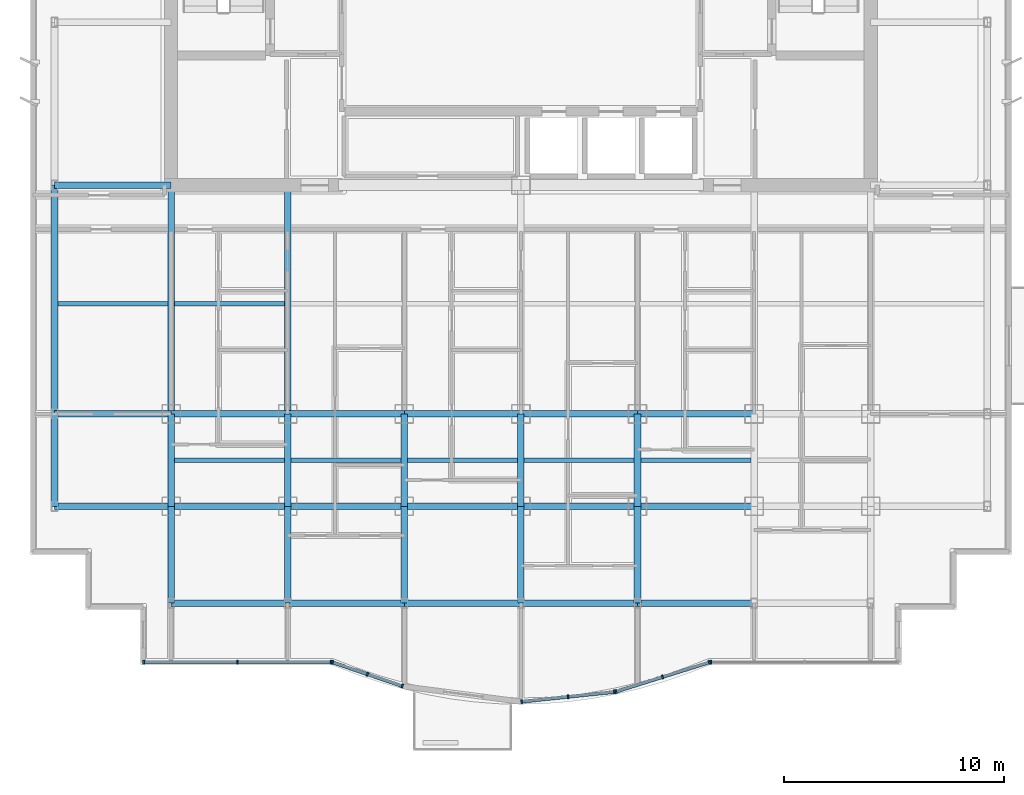
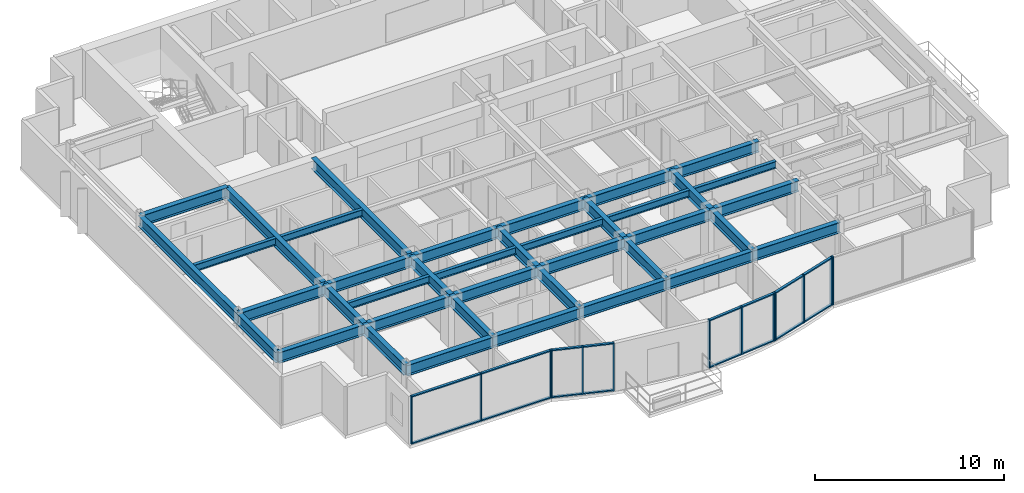
# One storey, part 2 of 11: 39 beams, 29 members, 5 elements without a shape of their own.
"""IFC4 building model written with IfcOpenShell, lengths in metres."""

from ifc_helpers import new_model, si_unit, direction, frame, origin, origin_2d, place, context, subcontext, project, spatial, rectangle, i_section, extrude, source, transform, mapped, material, layer, layer_set, material_profile, profile_set, type_object, element, aggregate, save


model = new_model("IFC4")

# Units and contexts
model_context = context("Model", 3, precision=1e-05, world=origin(), true_north=direction((0.0, 1.0)))
body_context = subcontext(model_context, "Body", "Model", "MODEL_VIEW")
ifc_project = project(units=[si_unit("LENGTHUNIT", "METRE"), si_unit("AREAUNIT", "SQUARE_METRE"), si_unit("VOLUMEUNIT", "CUBIC_METRE"), si_unit("PLANEANGLEUNIT", "RADIAN"), si_unit("MASSUNIT", "GRAM", prefix="KILO")], contexts=[model_context])

# Site, building, storey
site_placement = place(None, origin())
site = spatial("IfcSite", under=ifc_project, at=site_placement, CompositionType="ELEMENT")
building_placement = place(site_placement, origin())
building = spatial("IfcBuilding", under=site, at=building_placement, Name="Qianlan Lanfeng Residences", CompositionType="ELEMENT")
storey_placement = place(building_placement, frame((0.0, 0.0, 165.60009765625)))
storey = spatial("IfcBuildingStorey", under=building, at=storey_placement, Name="L45", CompositionType="ELEMENT", Elevation=165.60009765625)

# Beams
ifc_material_1 = material(Name="Steel SN490B", Category="steel")
ifc_material_profile_1 = material_profile(ifc_material_1, i_section(OverallWidth=0.300048828125, OverallDepth=0.699951171875, WebThickness=0.012939453125, FlangeThickness=0.02392578125, at=origin_2d()), Name="H 700x300x13x24")
ifc_profile_set_1 = profile_set([ifc_material_profile_1], Name="Steel SN490B")
beam_type_1 = type_object("IfcBeamType", Name="G-750", PredefinedType="BEAM", material=ifc_profile_set_1)
beam_1_placement = place(storey_placement, frame((5.300048828125, 10.60009765625, 2.75), z_axis=(1.0, 0.0, 0.0), x_axis=(0.0, 1.0, 0.0)))
element("IfcBeam", 1, at=beam_1_placement, inside=storey, type_object=beam_type_1, Name="Structural beam G-750", PredefinedType="BEAM", context=body_context, shape_type="SweptSolid", body=[
    extrude(i_section(OverallWidth=0.300048828125, OverallDepth=0.699951171875, WebThickness=0.012939453125, FlangeThickness=0.02392578125, at=origin_2d()), origin(), (0.0, 0.0, 1.0), 5.300048828125),
])
beam_2_placement = place(storey_placement, frame((10.60009765625, 10.60009765625, 2.75), z_axis=(1.0, 0.0, 0.0), x_axis=(0.0, 1.0, 0.0)))
element("IfcBeam", 2, at=beam_2_placement, inside=storey, type_object=beam_type_1, Name="Structural beam G-750", PredefinedType="BEAM", context=body_context, shape_type="SweptSolid", body=[
    extrude(i_section(OverallWidth=0.300048828125, OverallDepth=0.699951171875, WebThickness=0.012939453125, FlangeThickness=0.02392578125, at=origin_2d()), origin(), (0.0, 0.0, 1.0), 5.2998046875),
])
for number, where, z_axis, x_axis, name in (
    (3, (15.89990234375, 10.60009765625, 2.75), (1.0, 0.0, 0.0), (0.0, 1.0, 0.0), "Structural beam G-750"),
    (4, (21.199951171875, 10.60009765625, 2.75), (1.0, 0.0, 0.0), (0.0, 1.0, 0.0), "Structural beam G-750"),
    (5, (26.5, 10.60009765625, 2.75), (1.0, 0.0, 0.0), (0.0, 1.0, 0.0), "Structural beam G-750"),
    (6, (31.800048828125, 10.60009765625, 2.75), (1.0, 0.0, 0.0), (0.0, 1.0, 0.0), "Structural beam G-750"),
    (7, (5.300048828125, 14.800048828125, 2.75), (1.0, 0.0, 0.0), (0.0, 1.0, 0.0), "Structural beam G-750"),
):
    element("IfcBeam", number, at=place(storey_placement, frame(where, z_axis=z_axis, x_axis=x_axis)), inside=storey, type_object=beam_type_1, Name=name, PredefinedType="BEAM", context=body_context, shape_type="SweptSolid", body=[
        extrude(i_section(OverallWidth=0.300048828125, OverallDepth=0.699951171875, WebThickness=0.012939453125, FlangeThickness=0.02392578125, at=origin_2d()), origin(), (0.0, 0.0, 1.0), 5.300048828125),
    ])
beam_3_placement = place(storey_placement, frame((10.60009765625, 14.800048828125, 2.75), z_axis=(1.0, 0.0, 0.0), x_axis=(0.0, 1.0, 0.0)))
element("IfcBeam", 8, at=beam_3_placement, inside=storey, type_object=beam_type_1, Name="Structural beam G-750", PredefinedType="BEAM", context=body_context, shape_type="SweptSolid", body=[
    extrude(i_section(OverallWidth=0.300048828125, OverallDepth=0.699951171875, WebThickness=0.012939453125, FlangeThickness=0.02392578125, at=origin_2d()), origin(), (0.0, 0.0, 1.0), 5.2998046875),
])
for number, where, z_axis, x_axis, name in (
    (9, (15.89990234375, 14.800048828125, 2.75), (1.0, 0.0, 0.0), (0.0, 1.0, 0.0), "Structural beam G-750"),
    (10, (21.199951171875, 14.800048828125, 2.75), (1.0, 0.0, 0.0), (0.0, 1.0, 0.0), "Structural beam G-750"),
    (11, (26.5, 14.800048828125, 2.75), (1.0, 0.0, 0.0), (0.0, 1.0, 0.0), "Structural beam G-750"),
    (12, (31.800048828125, 14.800048828125, 2.75), (1.0, 0.0, 0.0), (0.0, 1.0, 0.0), "Structural beam G-750"),
    (13, (5.300048828125, 25.199951171875, 2.75), (1.0, 0.0, 0.0), (0.0, 1.0, 0.0), "Structural beam G-750"),
):
    element("IfcBeam", number, at=place(storey_placement, frame(where, z_axis=z_axis, x_axis=x_axis)), inside=storey, type_object=beam_type_1, Name=name, PredefinedType="BEAM", context=body_context, shape_type="SweptSolid", body=[
        extrude(i_section(OverallWidth=0.300048828125, OverallDepth=0.699951171875, WebThickness=0.012939453125, FlangeThickness=0.02392578125, at=origin_2d()), origin(), (0.0, 0.0, 1.0), 5.300048828125),
    ])
beam_4_placement = place(storey_placement, frame((10.60009765625, 6.199951171875, 2.75), z_axis=(0.0, 1.0, 0.0), x_axis=(-1.0, 0.0, 0.0)))
element("IfcBeam", 14, at=beam_4_placement, inside=storey, type_object=beam_type_1, Name="Structural beam G-750", PredefinedType="BEAM", context=body_context, shape_type="SweptSolid", body=[
    extrude(i_section(OverallWidth=0.300048828125, OverallDepth=0.699951171875, WebThickness=0.012939453125, FlangeThickness=0.02392578125, at=origin_2d()), origin(), (0.0, 0.0, 1.0), 4.400146484375),
])
beam_5_placement = place(storey_placement, frame((10.60009765625, 10.60009765625, 2.75), z_axis=(0.0, 1.0, 0.0), x_axis=(-1.0, 0.0, 0.0)))
element("IfcBeam", 15, at=beam_5_placement, inside=storey, type_object=beam_type_1, Name="Structural beam G-750", PredefinedType="BEAM", context=body_context, shape_type="SweptSolid", body=[
    extrude(i_section(OverallWidth=0.300048828125, OverallDepth=0.699951171875, WebThickness=0.012939453125, FlangeThickness=0.02392578125, at=origin_2d()), origin(), (0.0, 0.0, 1.0), 4.199951171875),
])
beam_6_placement = place(storey_placement, frame((10.60009765625, 14.800048828125, 2.75), z_axis=(0.0, 1.0, 0.0), x_axis=(-1.0, 0.0, 0.0)))
element("IfcBeam", 16, at=beam_6_placement, inside=storey, type_object=beam_type_1, Name="Structural beam G-750", PredefinedType="BEAM", context=body_context, shape_type="SweptSolid", body=[
    extrude(i_section(OverallWidth=0.300048828125, OverallDepth=0.699951171875, WebThickness=0.012939453125, FlangeThickness=0.02392578125, at=origin_2d()), origin(), (0.0, 0.0, 1.0), 10.39990234375),
])
beam_7_placement = place(storey_placement, frame((15.89990234375, 6.199951171875, 2.75), z_axis=(0.0, 1.0, 0.0), x_axis=(-1.0, 0.0, 0.0)))
element("IfcBeam", 17, at=beam_7_placement, inside=storey, type_object=beam_type_1, Name="Structural beam G-750", PredefinedType="BEAM", context=body_context, shape_type="SweptSolid", body=[
    extrude(i_section(OverallWidth=0.300048828125, OverallDepth=0.699951171875, WebThickness=0.012939453125, FlangeThickness=0.02392578125, at=origin_2d()), origin(), (0.0, 0.0, 1.0), 4.400146484375),
])
beam_8_placement = place(storey_placement, frame((15.89990234375, 10.60009765625, 2.75), z_axis=(0.0, 1.0, 0.0), x_axis=(-1.0, 0.0, 0.0)))
element("IfcBeam", 18, at=beam_8_placement, inside=storey, type_object=beam_type_1, Name="Structural beam G-750", PredefinedType="BEAM", context=body_context, shape_type="SweptSolid", body=[
    extrude(i_section(OverallWidth=0.300048828125, OverallDepth=0.699951171875, WebThickness=0.012939453125, FlangeThickness=0.02392578125, at=origin_2d()), origin(), (0.0, 0.0, 1.0), 4.199951171875),
])
beam_9_placement = place(storey_placement, frame((15.89990234375, 14.800048828125, 2.75), z_axis=(0.0, 1.0, 0.0), x_axis=(-1.0, 0.0, 0.0)))
element("IfcBeam", 19, at=beam_9_placement, inside=storey, type_object=beam_type_1, Name="Structural beam G-750", PredefinedType="BEAM", context=body_context, shape_type="SweptSolid", body=[
    extrude(i_section(OverallWidth=0.300048828125, OverallDepth=0.699951171875, WebThickness=0.012939453125, FlangeThickness=0.02392578125, at=origin_2d()), origin(), (0.0, 0.0, 1.0), 10.39990234375),
])
beam_10_placement = place(storey_placement, frame((21.199951171875, 6.199951171875, 2.75), z_axis=(0.0, 1.0, 0.0), x_axis=(-1.0, 0.0, 0.0)))
element("IfcBeam", 20, at=beam_10_placement, inside=storey, type_object=beam_type_1, Name="Structural beam G-750", PredefinedType="BEAM", context=body_context, shape_type="SweptSolid", body=[
    extrude(i_section(OverallWidth=0.300048828125, OverallDepth=0.699951171875, WebThickness=0.012939453125, FlangeThickness=0.02392578125, at=origin_2d()), origin(), (0.0, 0.0, 1.0), 4.400146484375),
])
beam_11_placement = place(storey_placement, frame((21.199951171875, 10.60009765625, 2.75), z_axis=(0.0, 1.0, 0.0), x_axis=(-1.0, 0.0, 0.0)))
element("IfcBeam", 21, at=beam_11_placement, inside=storey, type_object=beam_type_1, Name="Structural beam G-750", PredefinedType="BEAM", context=body_context, shape_type="SweptSolid", body=[
    extrude(i_section(OverallWidth=0.300048828125, OverallDepth=0.699951171875, WebThickness=0.012939453125, FlangeThickness=0.02392578125, at=origin_2d()), origin(), (0.0, 0.0, 1.0), 4.199951171875),
])
beam_12_placement = place(storey_placement, frame((26.5, 6.199951171875, 2.75), z_axis=(0.0, 1.0, 0.0), x_axis=(-1.0, 0.0, 0.0)))
element("IfcBeam", 22, at=beam_12_placement, inside=storey, type_object=beam_type_1, Name="Structural beam G-750", PredefinedType="BEAM", context=body_context, shape_type="SweptSolid", body=[
    extrude(i_section(OverallWidth=0.300048828125, OverallDepth=0.699951171875, WebThickness=0.012939453125, FlangeThickness=0.02392578125, at=origin_2d()), origin(), (0.0, 0.0, 1.0), 4.400146484375),
])
beam_13_placement = place(storey_placement, frame((26.5, 10.60009765625, 2.75), z_axis=(0.0, 1.0, 0.0), x_axis=(-1.0, 0.0, 0.0)))
element("IfcBeam", 23, at=beam_13_placement, inside=storey, type_object=beam_type_1, Name="Structural beam G-750", PredefinedType="BEAM", context=body_context, shape_type="SweptSolid", body=[
    extrude(i_section(OverallWidth=0.300048828125, OverallDepth=0.699951171875, WebThickness=0.012939453125, FlangeThickness=0.02392578125, at=origin_2d()), origin(), (0.0, 0.0, 1.0), 4.199951171875),
])
beam_14_placement = place(storey_placement, frame((31.800048828125, 6.199951171875, 2.75), z_axis=(0.0, 1.0, 0.0), x_axis=(-1.0, 0.0, 0.0)))
element("IfcBeam", 24, at=beam_14_placement, inside=storey, type_object=beam_type_1, Name="Structural beam G-750", PredefinedType="BEAM", context=body_context, shape_type="SweptSolid", body=[
    extrude(i_section(OverallWidth=0.300048828125, OverallDepth=0.699951171875, WebThickness=0.012939453125, FlangeThickness=0.02392578125, at=origin_2d()), origin(), (0.0, 0.0, 1.0), 4.400146484375),
])
beam_15_placement = place(storey_placement, frame((31.800048828125, 10.60009765625, 2.75), z_axis=(0.0, 1.0, 0.0), x_axis=(-1.0, 0.0, 0.0)))
element("IfcBeam", 25, at=beam_15_placement, inside=storey, type_object=beam_type_1, Name="Structural beam G-750", PredefinedType="BEAM", context=body_context, shape_type="SweptSolid", body=[
    extrude(i_section(OverallWidth=0.300048828125, OverallDepth=0.699951171875, WebThickness=0.012939453125, FlangeThickness=0.02392578125, at=origin_2d()), origin(), (0.0, 0.0, 1.0), 4.199951171875),
])
ifc_material_profile_2 = material_profile(ifc_material_1, i_section(OverallWidth=0.199951171875, OverallDepth=0.449951171875, WebThickness=0.009033203125, FlangeThickness=0.013916015625, at=origin_2d()), Name="H 450x200x9x14")
ifc_profile_set_2 = profile_set([ifc_material_profile_2], Name="Steel SN490B")
beam_type_2 = type_object("IfcBeamType", Name="J-450", PredefinedType="JOIST", material=ifc_profile_set_2)
for number, where, z_axis, x_axis, name in (
    (26, (10.75, 12.699951171875, 2.875), (1.0, 0.0, 0.0), (0.0, 1.0, 0.0), "Structural beam J-450"),
    (27, (16.050048828125, 12.699951171875, 2.875), (1.0, 0.0, 0.0), (0.0, 1.0, 0.0), "Structural beam J-450"),
    (28, (21.35009765625, 12.699951171875, 2.875), (1.0, 0.0, 0.0), (0.0, 1.0, 0.0), "Structural beam J-450"),
    (29, (26.64990234375, 12.699951171875, 2.875), (1.0, 0.0, 0.0), (0.0, 1.0, 0.0), "Structural beam J-450"),
    (30, (31.949951171875, 12.699951171875, 2.875), (1.0, 0.0, 0.0), (0.0, 1.0, 0.0), "Structural beam J-450"),
    (31, (5.449951171875, 19.800048828125, 2.875), (1.0, 0.0, 0.0), (0.0, 1.0, 0.0), "Structural beam J-450"),
    (32, (10.75, 19.800048828125, 2.875), (1.0, 0.0, 0.0), (0.0, 1.0, 0.0), "Structural beam J-450"),
):
    element("IfcBeam", number, at=place(storey_placement, frame(where, z_axis=z_axis, x_axis=x_axis)), inside=storey, type_object=beam_type_2, Name=name, PredefinedType="JOIST", context=body_context, shape_type="SweptSolid", body=[
        extrude(i_section(OverallWidth=0.199951171875, OverallDepth=0.449951171875, WebThickness=0.009033203125, FlangeThickness=0.013916015625, at=origin_2d()), origin(), (0.0, 0.0, 1.0), 5.0),
    ])
ifc_material_profile_3 = material_profile(ifc_material_1, i_section(OverallWidth=0.300048828125, OverallDepth=0.699951171875, WebThickness=0.012939453125, FlangeThickness=0.02392578125, at=origin_2d()), Name="H 700x300x13x24")
ifc_profile_set_3 = profile_set([ifc_material_profile_3], Name="Steel SN490B")
beam_type_3 = type_object("IfcBeamType", Name="SG-750", PredefinedType="SPANDREL", material=ifc_profile_set_3)
beam_16_placement = place(storey_placement, frame((10.60009765625, 6.199951171875, 2.739990234375), z_axis=(1.0, 0.0, 0.0), x_axis=(0.0, 1.0, 0.0)))
element("IfcBeam", 33, at=beam_16_placement, inside=storey, type_object=beam_type_3, Name="Structural beam SG-750", PredefinedType="SPANDREL", context=body_context, shape_type="SweptSolid", body=[
    extrude(i_section(OverallWidth=0.300048828125, OverallDepth=0.699951171875, WebThickness=0.012939453125, FlangeThickness=0.02392578125, at=origin_2d()), origin(), (0.0, 0.0, 1.0), 5.2998046875),
])
for number, where, z_axis, x_axis, name in (
    (34, (15.89990234375, 6.199951171875, 2.739990234375), (1.0, 0.0, 0.0), (0.0, 1.0, 0.0), "Structural beam SG-750"),
    (35, (21.199951171875, 6.199951171875, 2.739990234375), (1.0, 0.0, 0.0), (0.0, 1.0, 0.0), "Structural beam SG-750"),
    (36, (26.5, 6.199951171875, 2.739990234375), (1.0, 0.0, 0.0), (0.0, 1.0, 0.0), "Structural beam SG-750"),
    (37, (31.800048828125, 6.199951171875, 2.739990234375), (1.0, 0.0, 0.0), (0.0, 1.0, 0.0), "Structural beam SG-750"),
):
    element("IfcBeam", number, at=place(storey_placement, frame(where, z_axis=z_axis, x_axis=x_axis)), inside=storey, type_object=beam_type_3, Name=name, PredefinedType="SPANDREL", context=body_context, shape_type="SweptSolid", body=[
        extrude(i_section(OverallWidth=0.300048828125, OverallDepth=0.699951171875, WebThickness=0.012939453125, FlangeThickness=0.02392578125, at=origin_2d()), origin(), (0.0, 0.0, 1.0), 5.300048828125),
    ])
beam_17_placement = place(storey_placement, frame((5.300048828125, 10.60009765625, 2.739990234375), z_axis=(0.0, 1.0, 0.0), x_axis=(-1.0, 0.0, 0.0)))
element("IfcBeam", 38, at=beam_17_placement, inside=storey, type_object=beam_type_3, Name="Structural beam SG-750", PredefinedType="SPANDREL", context=body_context, shape_type="SweptSolid", body=[
    extrude(i_section(OverallWidth=0.300048828125, OverallDepth=0.699951171875, WebThickness=0.012939453125, FlangeThickness=0.02392578125, at=origin_2d()), origin(), (0.0, 0.0, 1.0), 4.199951171875),
])
beam_18_placement = place(storey_placement, frame((5.300048828125, 14.800048828125, 2.739990234375), z_axis=(0.0, 1.0, 0.0), x_axis=(-1.0, 0.0, 0.0)))
element("IfcBeam", 39, at=beam_18_placement, inside=storey, type_object=beam_type_3, Name="Structural beam SG-750", PredefinedType="SPANDREL", context=body_context, shape_type="SweptSolid", body=[
    extrude(i_section(OverallWidth=0.300048828125, OverallDepth=0.699951171875, WebThickness=0.012939453125, FlangeThickness=0.02392578125, at=origin_2d()), origin(), (0.0, 0.0, 1.0), 10.39990234375),
])

# Curtain wall, members
ifc_material_2 = material(Name="Anodised Bronze Aluminium 6063-T6", Category="aluminium")
ifc_layer = layer(ifc_material_2, 0.219970703125)
ifc_layer_set = layer_set([ifc_layer], Name="Anodised Bronze Aluminium 6063-T6")
curtain_wall_type = type_object("IfcCurtainWallType", Name="CW-04", PredefinedType="NOTDEFINED", material=ifc_layer_set)
curtain_wall_1_placement = place(storey_placement, origin())
curtain_wall_1 = element("IfcCurtainWall", 40, at=curtain_wall_1_placement, inside=storey, type_object=curtain_wall_type, Name="L45 Unitised Curtain Wall CWR-L45-01 (CW-04)", PredefinedType="NOTDEFINED")
ifc_material_profile_4 = material_profile(ifc_material_2, rectangle(XDim=0.074951171875, YDim=0.14990234375, at=origin_2d()), Name="ALU TRANSOM 75x150")
ifc_profile_set_4 = profile_set([ifc_material_profile_4], Name="Anodised Bronze Aluminium 6063-T6")
member_type_1 = type_object("IfcMemberType", Name="CWT-150", PredefinedType="USERDEFINED", material=ifc_profile_set_4)
shared_shape_1 = source(origin(), body_context, "Body", "SweptSolid", [
    extrude(rectangle(XDim=0.074951171875, YDim=0.14990234375, at=origin_2d()), origin(), (0.0, 0.0, 1.0), 4.178955078125),
])
member_1_placement = place(storey_placement, frame((9.39501953125, 3.52001953125, 0.037353515625), z_axis=(1.0, 0.0, 0.0), x_axis=(0.0, 0.0, 1.0)))
member_1 = element("IfcMember", 41, at=member_1_placement, type_object=member_type_1, Name="CWR-L45-01 Transom 1-BOT", ObjectType="TRANSOM", PredefinedType="USERDEFINED", context=body_context, shape_type="MappedRepresentation", body=[
    mapped(shared_shape_1, transform((0.0, 0.0, 0.0), scale=1.0)),
])
member_2_placement = place(storey_placement, frame((9.39501953125, 3.52001953125, 3.0625), z_axis=(1.0, 0.0, 0.0), x_axis=(0.0, 0.0, 1.0)))
member_2 = element("IfcMember", 42, at=member_2_placement, type_object=member_type_1, Name="CWR-L45-01 Transom 1-TOP", ObjectType="TRANSOM", PredefinedType="USERDEFINED", context=body_context, shape_type="MappedRepresentation", body=[
    mapped(shared_shape_1, transform((0.0, 0.0, 0.0), scale=1.0)),
])
member_3_placement = place(storey_placement, frame((13.64892578125, 3.52001953125, 0.037353515625), z_axis=(1.0, 0.0, 0.0), x_axis=(0.0, 0.0, 1.0)))
member_3 = element("IfcMember", 43, at=member_3_placement, type_object=member_type_1, Name="CWR-L45-01 Transom 2-BOT", ObjectType="TRANSOM", PredefinedType="USERDEFINED", context=body_context, shape_type="MappedRepresentation", body=[
    mapped(shared_shape_1, transform((0.0, 0.0, 0.0), scale=1.0)),
])
member_4_placement = place(storey_placement, frame((13.64892578125, 3.52001953125, 3.0625), z_axis=(1.0, 0.0, 0.0), x_axis=(0.0, 0.0, 1.0)))
member_4 = element("IfcMember", 44, at=member_4_placement, type_object=member_type_1, Name="CWR-L45-01 Transom 2-TOP", ObjectType="TRANSOM", PredefinedType="USERDEFINED", context=body_context, shape_type="MappedRepresentation", body=[
    mapped(shared_shape_1, transform((0.0, 0.0, 0.0), scale=1.0)),
])

curtain_wall_2_placement = place(storey_placement, origin())
curtain_wall_2 = element("IfcCurtainWall", 45, at=curtain_wall_2_placement, inside=storey, type_object=curtain_wall_type, Name="L45 Unitised Curtain Wall CWR-L45-02 (CW-04)", PredefinedType="NOTDEFINED")
shared_shape_2 = source(origin(), body_context, "Body", "SweptSolid", [
    extrude(rectangle(XDim=0.074951171875, YDim=0.14990234375, at=origin_2d()), origin(), (0.0, 0.0, 1.0), 1.597900390625),
])
member_5_placement = place(storey_placement, frame((17.97412109375, 3.495849609375, 0.037353515625), z_axis=(0.946818368584, -0.321768514481, 0.0), x_axis=(0.0, 0.0, 1.0)))
member_5 = element("IfcMember", 46, at=member_5_placement, type_object=member_type_1, Name="CWR-L45-02 Transom 1-BOT", ObjectType="TRANSOM", PredefinedType="USERDEFINED", context=body_context, shape_type="MappedRepresentation", body=[
    mapped(shared_shape_2, transform((0.0, 0.0, 0.0), scale=1.0)),
])
member_6_placement = place(storey_placement, frame((17.97412109375, 3.495849609375, 3.0625), z_axis=(0.946818368584, -0.321768514481, 0.0), x_axis=(0.0, 0.0, 1.0)))
member_6 = element("IfcMember", 47, at=member_6_placement, type_object=member_type_1, Name="CWR-L45-02 Transom 1-TOP", ObjectType="TRANSOM", PredefinedType="USERDEFINED", context=body_context, shape_type="MappedRepresentation", body=[
    mapped(shared_shape_2, transform((0.0, 0.0, 0.0), scale=1.0)),
])
member_7_placement = place(storey_placement, frame((19.55810546875, 2.95751953125, 0.037353515625), z_axis=(0.94677181357, -0.321905472195, 0.0), x_axis=(0.0, 0.0, 1.0)))
member_7 = element("IfcMember", 48, at=member_7_placement, type_object=member_type_1, Name="CWR-L45-02 Transom 2-BOT", ObjectType="TRANSOM", PredefinedType="USERDEFINED", context=body_context, shape_type="MappedRepresentation", body=[
    mapped(shared_shape_2, transform((0.0, 0.0, 0.0), scale=1.0)),
])
member_8_placement = place(storey_placement, frame((19.55810546875, 2.95751953125, 3.0625), z_axis=(0.94677181357, -0.321905472195, 0.0), x_axis=(0.0, 0.0, 1.0)))
member_8 = element("IfcMember", 49, at=member_8_placement, type_object=member_type_1, Name="CWR-L45-02 Transom 2-TOP", ObjectType="TRANSOM", PredefinedType="USERDEFINED", context=body_context, shape_type="MappedRepresentation", body=[
    mapped(shared_shape_2, transform((0.0, 0.0, 0.0), scale=1.0)),
])

curtain_wall_3_placement = place(storey_placement, origin())
curtain_wall_3 = element("IfcCurtainWall", 50, at=curtain_wall_3_placement, inside=storey, type_object=curtain_wall_type, Name="L45 Unitised Curtain Wall CWR-L45-03 (CW-04)", PredefinedType="NOTDEFINED")
shared_shape_3 = source(origin(), body_context, "Body", "SweptSolid", [
    extrude(rectangle(XDim=0.074951171875, YDim=0.14990234375, at=origin_2d()), origin(), (0.0, 0.0, 1.0), 2.04150390625),
])
member_9_placement = place(storey_placement, frame((26.57470703125, 1.727783203125, 0.037353515625), z_axis=(0.994573388245, 0.104037374988, 0.0), x_axis=(0.0, 0.0, 1.0)))
member_9 = element("IfcMember", 51, at=member_9_placement, type_object=member_type_1, Name="CWR-L45-03 Transom 1-BOT", ObjectType="TRANSOM", PredefinedType="USERDEFINED", context=body_context, shape_type="MappedRepresentation", body=[
    mapped(shared_shape_3, transform((0.0, 0.0, 0.0), scale=1.0)),
])
member_10_placement = place(storey_placement, frame((26.57470703125, 1.727783203125, 3.0625), z_axis=(0.994573388245, 0.104037374988, 0.0), x_axis=(0.0, 0.0, 1.0)))
member_10 = element("IfcMember", 52, at=member_10_placement, type_object=member_type_1, Name="CWR-L45-03 Transom 1-TOP", ObjectType="TRANSOM", PredefinedType="USERDEFINED", context=body_context, shape_type="MappedRepresentation", body=[
    mapped(shared_shape_3, transform((0.0, 0.0, 0.0), scale=1.0)),
])
shared_shape_4 = source(origin(), body_context, "Body", "SweptSolid", [
    extrude(rectangle(XDim=0.074951171875, YDim=0.14990234375, at=origin_2d()), origin(), (0.0, 0.0, 1.0), 2.041748046875),
])
member_11_placement = place(storey_placement, frame((28.6796875, 1.947998046875, 0.037353515625), z_axis=(0.994587046158, 0.103906725548, 0.0), x_axis=(0.0, 0.0, 1.0)))
member_11 = element("IfcMember", 53, at=member_11_placement, type_object=member_type_1, Name="CWR-L45-03 Transom 2-BOT", ObjectType="TRANSOM", PredefinedType="USERDEFINED", context=body_context, shape_type="MappedRepresentation", body=[
    mapped(shared_shape_4, transform((0.0, 0.0, 0.0), scale=1.0)),
])
member_12_placement = place(storey_placement, frame((28.6796875, 1.947998046875, 3.0625), z_axis=(0.994587046158, 0.103906725548, 0.0), x_axis=(0.0, 0.0, 1.0)))
member_12 = element("IfcMember", 54, at=member_12_placement, type_object=member_type_1, Name="CWR-L45-03 Transom 2-TOP", ObjectType="TRANSOM", PredefinedType="USERDEFINED", context=body_context, shape_type="MappedRepresentation", body=[
    mapped(shared_shape_4, transform((0.0, 0.0, 0.0), scale=1.0)),
])

curtain_wall_4_placement = place(storey_placement, origin())
curtain_wall_4 = element("IfcCurtainWall", 55, at=curtain_wall_4_placement, inside=storey, type_object=curtain_wall_type, Name="L45 Unitised Curtain Wall CWR-L45-04 (CW-04)", PredefinedType="NOTDEFINED")
shared_shape_5 = source(origin(), body_context, "Body", "SweptSolid", [
    extrude(rectangle(XDim=0.074951171875, YDim=0.14990234375, at=origin_2d()), origin(), (0.0, 0.0, 1.0), 2.14697265625),
])
member_13_placement = place(storey_placement, frame((30.856689453125, 2.1904296875, 0.037353515625), z_axis=(0.954194238714, 0.299187825296, 0.0), x_axis=(0.0, 0.0, 1.0)))
member_13 = element("IfcMember", 56, at=member_13_placement, type_object=member_type_1, Name="CWR-L45-04 Transom 1-BOT", ObjectType="TRANSOM", PredefinedType="USERDEFINED", context=body_context, shape_type="MappedRepresentation", body=[
    mapped(shared_shape_5, transform((0.0, 0.0, 0.0), scale=1.0)),
])
member_14_placement = place(storey_placement, frame((30.856689453125, 2.1904296875, 3.0625), z_axis=(0.954194238714, 0.299187825296, 0.0), x_axis=(0.0, 0.0, 1.0)))
member_14 = element("IfcMember", 57, at=member_14_placement, type_object=member_type_1, Name="CWR-L45-04 Transom 1-TOP", ObjectType="TRANSOM", PredefinedType="USERDEFINED", context=body_context, shape_type="MappedRepresentation", body=[
    mapped(shared_shape_5, transform((0.0, 0.0, 0.0), scale=1.0)),
])
member_15_placement = place(storey_placement, frame((32.976806640625, 2.855224609375, 0.037353515625), z_axis=(0.954194238714, 0.299187825296, 0.0), x_axis=(0.0, 0.0, 1.0)))
member_15 = element("IfcMember", 58, at=member_15_placement, type_object=member_type_1, Name="CWR-L45-04 Transom 2-BOT", ObjectType="TRANSOM", PredefinedType="USERDEFINED", context=body_context, shape_type="MappedRepresentation", body=[
    mapped(shared_shape_5, transform((0.0, 0.0, 0.0), scale=1.0)),
])
member_16_placement = place(storey_placement, frame((32.976806640625, 2.855224609375, 3.0625), z_axis=(0.954194238714, 0.299187825296, 0.0), x_axis=(0.0, 0.0, 1.0)))
member_16 = element("IfcMember", 59, at=member_16_placement, type_object=member_type_1, Name="CWR-L45-04 Transom 2-TOP", ObjectType="TRANSOM", PredefinedType="USERDEFINED", context=body_context, shape_type="MappedRepresentation", body=[
    mapped(shared_shape_5, transform((0.0, 0.0, 0.0), scale=1.0)),
])

# Member
ifc_material_profile_5 = material_profile(ifc_material_2, rectangle(XDim=0.074951171875, YDim=0.179931640625, at=origin_2d()), Name="ALU MULLION 75x180")
ifc_profile_set_5 = profile_set([ifc_material_profile_5], Name="Anodised Bronze Aluminium 6063-T6")
member_type_2 = type_object("IfcMemberType", Name="CWM-180", PredefinedType="MULLION", material=ifc_profile_set_5)
shared_shape_6 = source(origin(), body_context, "Body", "SweptSolid", [
    extrude(rectangle(XDim=0.074951171875, YDim=0.179931640625, at=origin_2d()), origin(), (0.0, 0.0, 1.0), 3.099853515625),
])
member_17_placement = place(storey_placement, frame((9.357421875, 3.52001953125, 0.0), z_axis=(0.0, 0.0, 1.0), x_axis=(1.0, 0.0, 0.0)))
member_17 = element("IfcMember", 60, at=member_17_placement, type_object=member_type_2, Name="CWR-L45-01 Mullion 1", PredefinedType="MULLION", context=body_context, shape_type="MappedRepresentation", body=[
    mapped(shared_shape_6, transform((0.0, 0.0, 0.0), scale=1.0)),
])

member_18_placement = place(storey_placement, frame((13.611572265625, 3.52001953125, 0.0), z_axis=(0.0, 0.0, 1.0), x_axis=(1.0, 0.0, 0.0)))
member_18 = element("IfcMember", 61, at=member_18_placement, type_object=member_type_2, Name="CWR-L45-01 Mullion 2", PredefinedType="MULLION", context=body_context, shape_type="MappedRepresentation", body=[
    mapped(shared_shape_6, transform((0.0, 0.0, 0.0), scale=1.0)),
])

member_19_placement = place(storey_placement, frame((17.865478515625, 3.52001953125, 0.0), z_axis=(0.0, 0.0, 1.0), x_axis=(1.0, 0.0, 0.0)))
member_19 = element("IfcMember", 62, at=member_19_placement, type_object=member_type_2, Name="CWR-L45-01 Mullion 3", PredefinedType="MULLION", context=body_context, shape_type="MappedRepresentation", body=[
    mapped(shared_shape_6, transform((0.0, 0.0, 0.0), scale=1.0)),
])

aggregate(curtain_wall_1, [member_17, member_18, member_19, member_1, member_2, member_3, member_4])

member_20_placement = place(storey_placement, frame((17.9384765625, 3.5078125, 0.0), z_axis=(0.0, 0.0, 1.0), x_axis=(0.946795963885, -0.321834433787, 0.0)))
member_20 = element("IfcMember", 63, at=member_20_placement, type_object=member_type_2, Name="CWR-L45-02 Mullion 1", PredefinedType="MULLION", context=body_context, shape_type="MappedRepresentation", body=[
    mapped(shared_shape_6, transform((0.0, 0.0, 0.0), scale=1.0)),
])

member_21_placement = place(storey_placement, frame((19.5224609375, 2.969482421875, 0.0), z_axis=(0.0, 0.0, 1.0), x_axis=(0.946795963885, -0.321834433787, 0.0)))
member_21 = element("IfcMember", 64, at=member_21_placement, type_object=member_type_2, Name="CWR-L45-02 Mullion 2", PredefinedType="MULLION", context=body_context, shape_type="MappedRepresentation", body=[
    mapped(shared_shape_6, transform((0.0, 0.0, 0.0), scale=1.0)),
])

member_22_placement = place(storey_placement, frame((21.1064453125, 2.43115234375, 0.0), z_axis=(0.0, 0.0, 1.0), x_axis=(0.946795963885, -0.321834433787, 0.0)))
member_22 = element("IfcMember", 65, at=member_22_placement, type_object=member_type_2, Name="CWR-L45-02 Mullion 3", PredefinedType="MULLION", context=body_context, shape_type="MappedRepresentation", body=[
    mapped(shared_shape_6, transform((0.0, 0.0, 0.0), scale=1.0)),
])

aggregate(curtain_wall_2, [member_20, member_21, member_22, member_5, member_6, member_7, member_8])

member_23_placement = place(storey_placement, frame((26.537353515625, 1.723876953125, 0.0), z_axis=(0.0, 0.0, 1.0), x_axis=(0.994579031105, 0.103983416397, 0.0)))
member_23 = element("IfcMember", 66, at=member_23_placement, type_object=member_type_2, Name="CWR-L45-03 Mullion 1", PredefinedType="MULLION", context=body_context, shape_type="MappedRepresentation", body=[
    mapped(shared_shape_6, transform((0.0, 0.0, 0.0), scale=1.0)),
])

member_24_placement = place(storey_placement, frame((28.642578125, 1.944091796875, 0.0), z_axis=(0.0, 0.0, 1.0), x_axis=(0.994579031105, 0.103983416397, 0.0)))
member_24 = element("IfcMember", 67, at=member_24_placement, type_object=member_type_2, Name="CWR-L45-03 Mullion 2", PredefinedType="MULLION", context=body_context, shape_type="MappedRepresentation", body=[
    mapped(shared_shape_6, transform((0.0, 0.0, 0.0), scale=1.0)),
])

member_25_placement = place(storey_placement, frame((30.747802734375, 2.1640625, 0.0), z_axis=(0.0, 0.0, 1.0), x_axis=(0.994579031105, 0.103983416397, 0.0)))
member_25 = element("IfcMember", 68, at=member_25_placement, type_object=member_type_2, Name="CWR-L45-03 Mullion 3", PredefinedType="MULLION", context=body_context, shape_type="MappedRepresentation", body=[
    mapped(shared_shape_6, transform((0.0, 0.0, 0.0), scale=1.0)),
])

aggregate(curtain_wall_3, [member_23, member_24, member_25, member_9, member_10, member_11, member_12])

member_26_placement = place(storey_placement, frame((30.82080078125, 2.17919921875, 0.0), z_axis=(0.0, 0.0, 1.0), x_axis=(0.954195954421, 0.299182353367, 0.0)))
member_26 = element("IfcMember", 69, at=member_26_placement, type_object=member_type_2, Name="CWR-L45-04 Mullion 1", PredefinedType="MULLION", context=body_context, shape_type="MappedRepresentation", body=[
    mapped(shared_shape_6, transform((0.0, 0.0, 0.0), scale=1.0)),
])

member_27_placement = place(storey_placement, frame((32.94091796875, 2.843994140625, 0.0), z_axis=(0.0, 0.0, 1.0), x_axis=(0.954195954421, 0.299182353367, 0.0)))
member_27 = element("IfcMember", 70, at=member_27_placement, type_object=member_type_2, Name="CWR-L45-04 Mullion 2", PredefinedType="MULLION", context=body_context, shape_type="MappedRepresentation", body=[
    mapped(shared_shape_6, transform((0.0, 0.0, 0.0), scale=1.0)),
])

member_28_placement = place(storey_placement, frame((35.061279296875, 3.5087890625, 0.0), z_axis=(0.0, 0.0, 1.0), x_axis=(0.954195954421, 0.299182353367, 0.0)))
member_28 = element("IfcMember", 71, at=member_28_placement, type_object=member_type_2, Name="CWR-L45-04 Mullion 3", PredefinedType="MULLION", context=body_context, shape_type="MappedRepresentation", body=[
    mapped(shared_shape_6, transform((0.0, 0.0, 0.0), scale=1.0)),
])

aggregate(curtain_wall_4, [member_26, member_27, member_28, member_13, member_14, member_15, member_16])

# Curtain wall, member
curtain_wall_5_placement = place(storey_placement, origin())
curtain_wall_5 = element("IfcCurtainWall", 72, at=curtain_wall_5_placement, inside=storey, type_object=curtain_wall_type, Name="L45 Unitised Curtain Wall CWR-L45-05 (CW-04)", PredefinedType="NOTDEFINED")
member_29_placement = place(storey_placement, frame((35.134521484375, 3.52001953125, 0.0), z_axis=(0.0, 0.0, 1.0), x_axis=(1.0, 0.0, 0.0)))
member_29 = element("IfcMember", 73, at=member_29_placement, type_object=member_type_2, Name="CWR-L45-05 Mullion 1", PredefinedType="MULLION", context=body_context, shape_type="MappedRepresentation", body=[
    mapped(shared_shape_6, transform((0.0, 0.0, 0.0), scale=1.0)),
])
aggregate(curtain_wall_5, [member_29])

save(model, "model.ifc")
